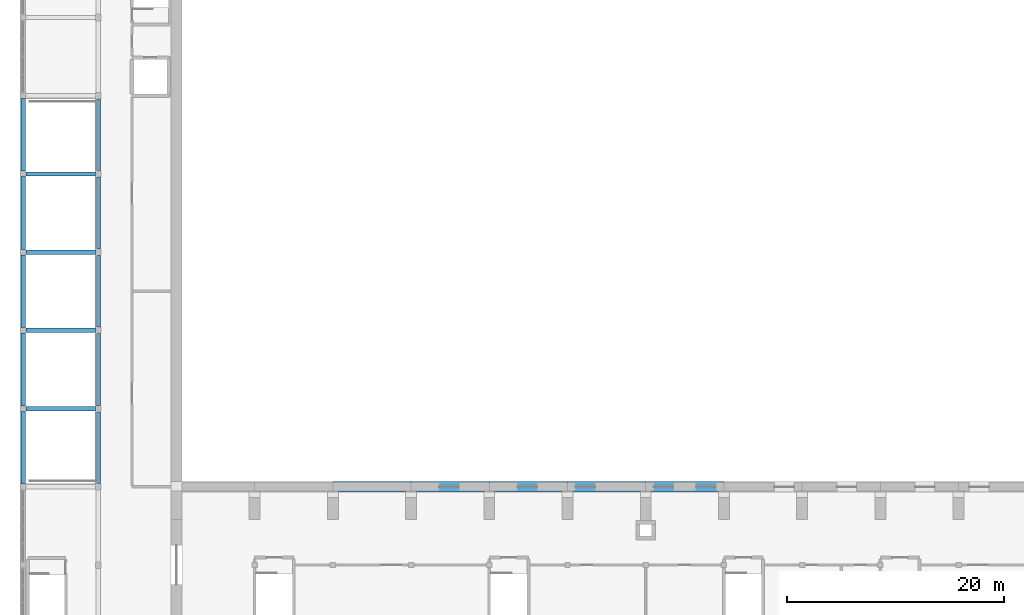
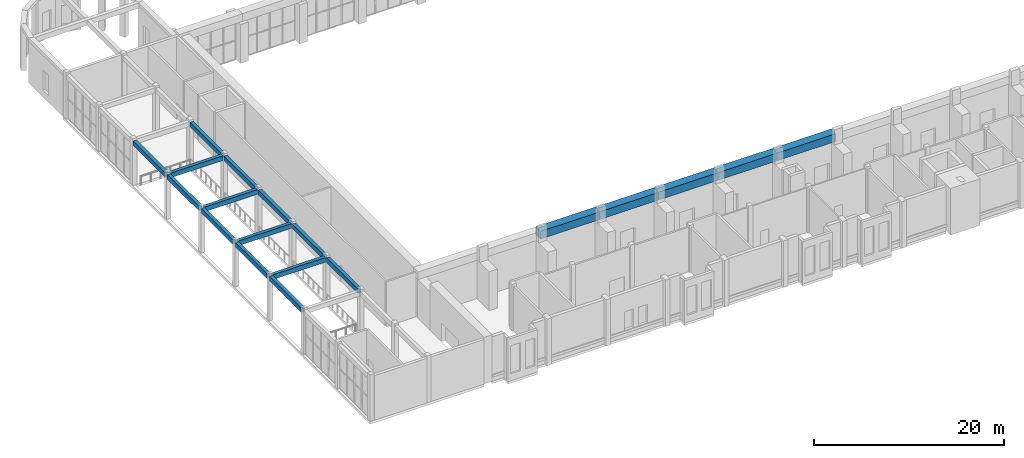
# One storey, part 4 of 44: 19 beams.
"""IFC4 building model written with IfcOpenShell, lengths in metres."""

from ifc_helpers import new_model, si_unit, direction, frame, origin, origin_2d, place, context, subcontext, project, spatial, rectangle, extrude, material, material_profile, profile_set, type_object, element, save


model = new_model("IFC4")

# Units and contexts
model_context = context("Model", 3, precision=1e-05, world=origin(), true_north=direction((0.0, 1.0)))
body_context = subcontext(model_context, "Body", "Model", "MODEL_VIEW")
ifc_project = project(units=[si_unit("LENGTHUNIT", "METRE"), si_unit("AREAUNIT", "SQUARE_METRE"), si_unit("VOLUMEUNIT", "CUBIC_METRE"), si_unit("PLANEANGLEUNIT", "RADIAN"), si_unit("MASSUNIT", "GRAM", prefix="KILO")], contexts=[model_context])

# Site, building, storey
site_placement = place(None, origin())
site = spatial("IfcSite", under=ifc_project, at=site_placement, CompositionType="ELEMENT")
building_placement = place(site_placement, origin())
building = spatial("IfcBuilding", under=site, at=building_placement, Name="Vermilion Court Aquatics Centre", CompositionType="ELEMENT")
storey_placement = place(building_placement, frame((0.0, 0.0, 6.0)))
storey = spatial("IfcBuildingStorey", under=building, at=storey_placement, Name="L01", CompositionType="ELEMENT", Elevation=6.0)

# Beams
ifc_material_1 = material(Name="Concrete 5000 psi", Category="concrete")
ifc_material_profile_1 = material_profile(ifc_material_1, rectangle(XDim=0.39990234375, YDim=0.60009765625, at=origin_2d()), Name="RC 400x600")
ifc_profile_set_1 = profile_set([ifc_material_profile_1], Name="Concrete 5000 psi")
beam_type_1 = type_object("IfcBeamType", Name="Foyer roof beam RC 400x600", PredefinedType="BEAM", material=ifc_profile_set_1)
beam_1_placement = place(storey_placement, frame((0.300048828125, 14.675048828125, 5.449951171875), z_axis=(0.0, 1.0, 0.0), x_axis=(-1.0, 0.0, 0.0)))
element("IfcBeam", 1, at=beam_1_placement, inside=storey, type_object=beam_type_1, Name="Foyer roof beam", PredefinedType="BEAM", context=body_context, shape_type="SweptSolid", body=[
    extrude(rectangle(XDim=0.39990234375, YDim=0.60009765625, at=origin_2d()), origin(), (0.0, 0.0, 1.0), 6.675048828125),
])
for number, where, z_axis, x_axis, name in (
    (2, (0.300048828125, 21.85009765625, 5.449951171875), (0.0, 1.0, 0.0), (-1.0, 0.0, 0.0), "Foyer roof beam"),
    (3, (0.300048828125, 29.050048828125, 5.449951171875), (0.0, 1.0, 0.0), (-1.0, 0.0, 0.0), "Foyer roof beam"),
    (4, (0.300048828125, 36.25, 5.449951171875), (0.0, 1.0, 0.0), (-1.0, 0.0, 0.0), "Foyer roof beam"),
):
    element("IfcBeam", number, at=place(storey_placement, frame(where, z_axis=z_axis, x_axis=x_axis)), inside=storey, type_object=beam_type_1, Name=name, PredefinedType="BEAM", context=body_context, shape_type="SweptSolid", body=[
        extrude(rectangle(XDim=0.39990234375, YDim=0.60009765625, at=origin_2d()), origin(), (0.0, 0.0, 1.0), 6.699951171875),
    ])
beam_2_placement = place(storey_placement, frame((0.300048828125, 43.449951171875, 5.449951171875), z_axis=(0.0, 1.0, 0.0), x_axis=(-1.0, 0.0, 0.0)))
element("IfcBeam", 5, at=beam_2_placement, inside=storey, type_object=beam_type_1, Name="Foyer roof beam", PredefinedType="BEAM", context=body_context, shape_type="SweptSolid", body=[
    extrude(rectangle(XDim=0.39990234375, YDim=0.60009765625, at=origin_2d()), origin(), (0.0, 0.0, 1.0), 6.675048828125),
])
for number, where, z_axis, x_axis, name in (
    (6, (7.199951171875, 14.699951171875, 5.449951171875), (0.0, 1.0, 0.0), (-1.0, 0.0, 0.0), "Foyer roof beam"),
    (7, (7.199951171875, 21.89990234375, 5.449951171875), (0.0, 1.0, 0.0), (-1.0, 0.0, 0.0), "Foyer roof beam"),
):
    element("IfcBeam", number, at=place(storey_placement, frame(where, z_axis=z_axis, x_axis=x_axis)), inside=storey, type_object=beam_type_1, Name=name, PredefinedType="BEAM", context=body_context, shape_type="SweptSolid", body=[
        extrude(rectangle(XDim=0.39990234375, YDim=0.60009765625, at=origin_2d()), origin(), (0.0, 0.0, 1.0), 6.60009765625),
    ])
for number, where, z_axis, x_axis, name in (
    (8, (7.199951171875, 29.10009765625, 5.449951171875), (0.0, 1.0, 0.0), (-1.0, 0.0, 0.0), "Foyer roof beam"),
    (9, (7.199951171875, 36.300048828125, 5.449951171875), (0.0, 1.0, 0.0), (-1.0, 0.0, 0.0), "Foyer roof beam"),
):
    element("IfcBeam", number, at=place(storey_placement, frame(where, z_axis=z_axis, x_axis=x_axis)), inside=storey, type_object=beam_type_1, Name=name, PredefinedType="BEAM", context=body_context, shape_type="SweptSolid", body=[
        extrude(rectangle(XDim=0.39990234375, YDim=0.60009765625, at=origin_2d()), origin(), (0.0, 0.0, 1.0), 6.599853515625),
    ])
beam_3_placement = place(storey_placement, frame((7.199951171875, 43.5, 5.449951171875), z_axis=(0.0, 1.0, 0.0), x_axis=(-1.0, 0.0, 0.0)))
element("IfcBeam", 10, at=beam_3_placement, inside=storey, type_object=beam_type_1, Name="Foyer roof beam", PredefinedType="BEAM", context=body_context, shape_type="SweptSolid", body=[
    extrude(rectangle(XDim=0.39990234375, YDim=0.60009765625, at=origin_2d()), origin(), (0.0, 0.0, 1.0), 6.60009765625),
])
for number, where, z_axis, x_axis, name in (
    (11, (0.550048828125, 21.60009765625, 5.449951171875), (1.0, 0.0, 0.0), (0.0, 1.0, 0.0), "Foyer roof beam"),
    (12, (0.550048828125, 28.800048828125, 5.449951171875), (1.0, 0.0, 0.0), (0.0, 1.0, 0.0), "Foyer roof beam"),
    (13, (0.550048828125, 36.0, 5.449951171875), (1.0, 0.0, 0.0), (0.0, 1.0, 0.0), "Foyer roof beam"),
    (14, (0.550048828125, 43.199951171875, 5.449951171875), (1.0, 0.0, 0.0), (0.0, 1.0, 0.0), "Foyer roof beam"),
):
    element("IfcBeam", number, at=place(storey_placement, frame(where, z_axis=z_axis, x_axis=x_axis)), inside=storey, type_object=beam_type_1, Name=name, PredefinedType="BEAM", context=body_context, shape_type="SweptSolid", body=[
        extrude(rectangle(XDim=0.39990234375, YDim=0.60009765625, at=origin_2d()), origin(), (0.0, 0.0, 1.0), 6.39990234375),
    ])
ifc_material_2 = material(Name="Concrete 5000 psi", Category="concrete")
ifc_material_profile_2 = material_profile(ifc_material_2, rectangle(XDim=1.0, YDim=1.0, at=origin_2d()), Name="RC 1000x1000")
ifc_profile_set_2 = profile_set([ifc_material_profile_2], Name="Concrete 5000 psi")
beam_type_2 = type_object("IfcBeamType", Name="Roof springing tie beam south (bearing on the hall wall)", PredefinedType="BEAM", material=ifc_profile_set_2)
for number, where, z_axis, x_axis, name in (
    (15, (28.800048828125, 14.39990234375, 5.5), (1.0, 0.0, 0.0), (0.0, 1.0, 0.0), "Springing tie beam STS03"),
    (16, (36.0, 14.39990234375, 5.5), (1.0, 0.0, 0.0), (0.0, 1.0, 0.0), "Springing tie beam STS04"),
    (17, (43.199951171875, 14.39990234375, 5.5), (1.0, 0.0, 0.0), (0.0, 1.0, 0.0), "Springing tie beam STS05"),
):
    element("IfcBeam", number, at=place(storey_placement, frame(where, z_axis=z_axis, x_axis=x_axis)), inside=storey, type_object=beam_type_2, Name=name, PredefinedType="BEAM", context=body_context, shape_type="SweptSolid", body=[
        extrude(rectangle(XDim=1.0, YDim=1.0, at=origin_2d()), origin(), (0.0, 0.0, 1.0), 7.199951171875),
    ])
beam_4_placement = place(storey_placement, frame((50.39990234375, 14.39990234375, 5.5), z_axis=(1.0, 0.0, 0.0), x_axis=(0.0, 1.0, 0.0)))
element("IfcBeam", 18, at=beam_4_placement, inside=storey, type_object=beam_type_2, Name="Springing tie beam STS06", PredefinedType="BEAM", context=body_context, shape_type="SweptSolid", body=[
    extrude(rectangle(XDim=1.0, YDim=1.0, at=origin_2d()), origin(), (0.0, 0.0, 1.0), 7.2001953125),
])
beam_5_placement = place(storey_placement, frame((57.60009765625, 14.39990234375, 5.5), z_axis=(1.0, 0.0, 0.0), x_axis=(0.0, 1.0, 0.0)))
element("IfcBeam", 19, at=beam_5_placement, inside=storey, type_object=beam_type_2, Name="Springing tie beam STS07", PredefinedType="BEAM", context=body_context, shape_type="SweptSolid", body=[
    extrude(rectangle(XDim=1.0, YDim=1.0, at=origin_2d()), origin(), (0.0, 0.0, 1.0), 7.199951171875),
])

save(model, "model.ifc")
